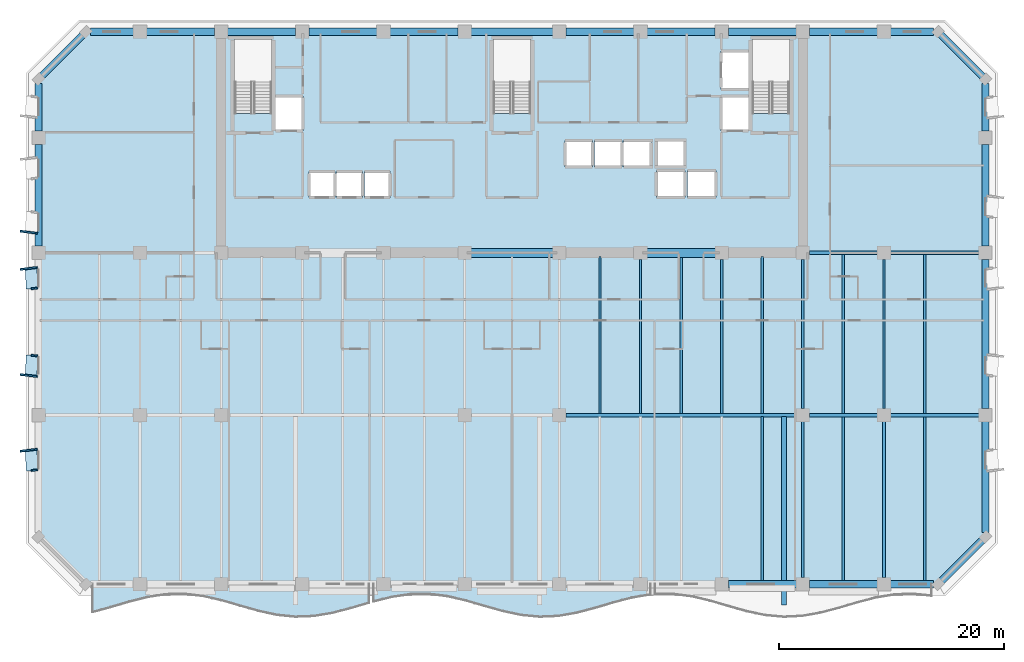
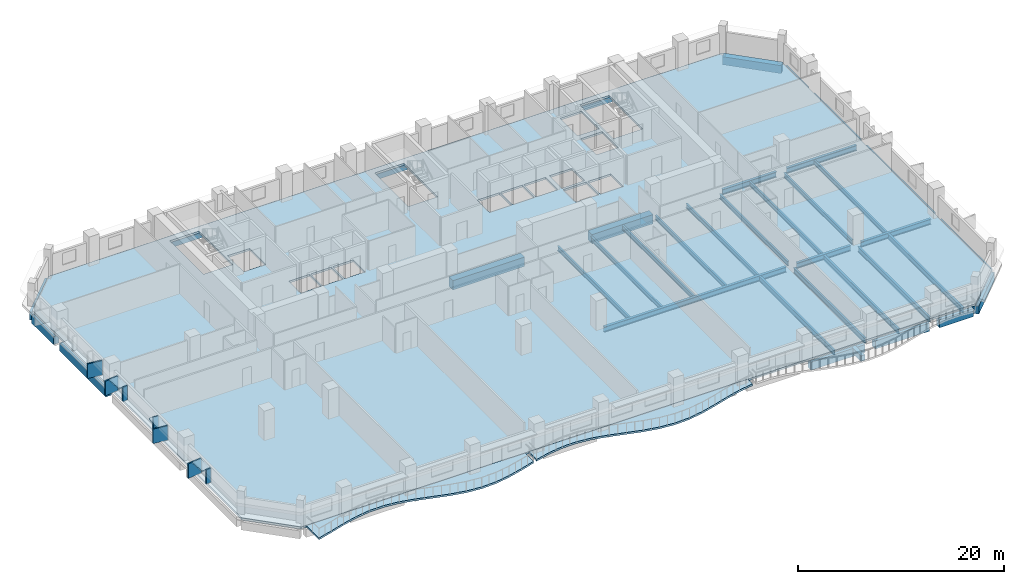
# One storey, part 2 of 15: 45 beams, 10 plates, 3 slabs.
"""IFC4 building model written with IfcOpenShell, lengths in metres."""

from ifc_helpers import new_model, si_unit, direction, frame, origin, origin_2d, place, context, subcontext, project, spatial, polyline, rectangle, i_section, outline, extrude, material, layer, layer_set, material_profile, profile_set, type_object, element, save


model = new_model("IFC4")

# Units and contexts
model_context = context("Model", 3, precision=1e-05, world=origin(), true_north=direction((0.0, 1.0)))
body_context = subcontext(model_context, "Body", "Model", "MODEL_VIEW")
ifc_project = project(units=[si_unit("LENGTHUNIT", "METRE"), si_unit("AREAUNIT", "SQUARE_METRE"), si_unit("VOLUMEUNIT", "CUBIC_METRE"), si_unit("PLANEANGLEUNIT", "RADIAN"), si_unit("MASSUNIT", "GRAM", prefix="KILO")], contexts=[model_context])

# Site, building, storey
site_placement = place(None, origin())
site = spatial("IfcSite", under=ifc_project, at=site_placement, CompositionType="ELEMENT")
building_placement = place(site_placement, origin())
building = spatial("IfcBuilding", under=site, at=building_placement, Name="Kaelvorn Grand Hotel", CompositionType="ELEMENT")
storey_placement = place(building_placement, frame((0.0, 0.0, 115.550048828125)))
storey = spatial("IfcBuildingStorey", under=building, at=storey_placement, Name="L27", CompositionType="ELEMENT", Elevation=115.550048828125)

# Beams
ifc_material_1 = material(Name="Steel S355", Category="steel")
ifc_material_profile_1 = material_profile(ifc_material_1, i_section(OverallWidth=0.300048828125, OverallDepth=0.64990234375, WebThickness=0.01611328125, FlangeThickness=0.031005859375, FilletRadius=0.027099609375, at=origin_2d()), Name="HEB 650")
ifc_profile_set_1 = profile_set([ifc_material_profile_1], Name="Steel S355")
beam_type_1 = type_object("IfcBeamType", Name="BM-G-HEB650-S355", PredefinedType="BEAM", material=ifc_profile_set_1)
beam_1_placement = place(storey_placement, frame((46.784912109375, 15.0, -0.56494140625), z_axis=(1.0, 0.0, 0.0), x_axis=(0.0, 1.0, 0.0)))
element("IfcBeam", 1, at=beam_1_placement, inside=storey, type_object=beam_type_1, Name="L27 Primary Spine Steel Girder G-15 05", PredefinedType="BEAM", context=body_context, shape_type="SweptSolid", body=[
    extrude(i_section(OverallWidth=0.300048828125, OverallDepth=0.64990234375, WebThickness=0.01611328125, FlangeThickness=0.031005859375, FilletRadius=0.027099609375, at=origin_2d()), origin(), (0.0, 0.0, 1.0), 20.43017578125),
])
beam_2_placement = place(storey_placement, frame((68.385009765625, 15.0, -0.56494140625), z_axis=(1.0, 0.0, 0.0), x_axis=(0.0, 1.0, 0.0)))
element("IfcBeam", 2, at=beam_2_placement, inside=storey, type_object=beam_type_1, Name="L27 Primary Spine Steel Girder G-15 06", PredefinedType="BEAM", context=body_context, shape_type="SweptSolid", body=[
    extrude(i_section(OverallWidth=0.300048828125, OverallDepth=0.64990234375, WebThickness=0.01611328125, FlangeThickness=0.031005859375, FilletRadius=0.027099609375, at=origin_2d()), origin(), (0.0, 0.0, 1.0), 6.030029296875),
])
beam_3_placement = place(storey_placement, frame((75.5849609375, 15.0, -0.56494140625), z_axis=(1.0, 0.0, 0.0), x_axis=(0.0, 1.0, 0.0)))
element("IfcBeam", 3, at=beam_3_placement, inside=storey, type_object=beam_type_1, Name="L27 Primary Spine Steel Girder G-15 07", PredefinedType="BEAM", context=body_context, shape_type="SweptSolid", body=[
    extrude(i_section(OverallWidth=0.300048828125, OverallDepth=0.64990234375, WebThickness=0.01611328125, FlangeThickness=0.031005859375, FilletRadius=0.027099609375, at=origin_2d()), origin(), (0.0, 0.0, 1.0), 7.830078125),
])
beam_4_placement = place(storey_placement, frame((68.385009765625, 29.39990234375, -0.56494140625), z_axis=(1.0, 0.0, 0.0), x_axis=(0.0, 1.0, 0.0)))
element("IfcBeam", 4, at=beam_4_placement, inside=storey, type_object=beam_type_1, Name="L27 East Core Wing Steel Girder G-29E 01", PredefinedType="BEAM", context=body_context, shape_type="SweptSolid", body=[
    extrude(i_section(OverallWidth=0.300048828125, OverallDepth=0.64990234375, WebThickness=0.01611328125, FlangeThickness=0.031005859375, FilletRadius=0.027099609375, at=origin_2d()), origin(), (0.0, 0.0, 1.0), 6.030029296875),
])
beam_5_placement = place(storey_placement, frame((75.5849609375, 29.39990234375, -0.56494140625), z_axis=(1.0, 0.0, 0.0), x_axis=(0.0, 1.0, 0.0)))
element("IfcBeam", 5, at=beam_5_placement, inside=storey, type_object=beam_type_1, Name="L27 East Core Wing Steel Girder G-29E 02", PredefinedType="BEAM", context=body_context, shape_type="SweptSolid", body=[
    extrude(i_section(OverallWidth=0.300048828125, OverallDepth=0.64990234375, WebThickness=0.01611328125, FlangeThickness=0.031005859375, FilletRadius=0.027099609375, at=origin_2d()), origin(), (0.0, 0.0, 1.0), 7.830078125),
])
ifc_material_profile_2 = material_profile(ifc_material_1, i_section(OverallWidth=0.209228515625, OverallDepth=0.533203125, WebThickness=0.010009765625, FlangeThickness=0.015625, FilletRadius=0.0126953125, at=origin_2d()), Name="UB 533x210x92")
ifc_profile_set_2 = profile_set([ifc_material_profile_2], Name="Steel S355")
beam_type_2 = type_object("IfcBeamType", Name="BM-J-UB533-S355", PredefinedType="JOIST", material=ifc_profile_set_2)
beam_6_placement = place(storey_placement, frame((49.800048828125, 15.135009765625, -0.506591796875), z_axis=(0.0, 1.0, 0.0), x_axis=(-1.0, 0.0, 0.0)))
element("IfcBeam", 6, at=beam_6_placement, inside=storey, type_object=beam_type_2, Name="L27 Composite Floor Joist JM-14", PredefinedType="JOIST", context=body_context, shape_type="SweptSolid", body=[
    extrude(i_section(OverallWidth=0.209228515625, OverallDepth=0.533203125, WebThickness=0.010009765625, FlangeThickness=0.015625, FilletRadius=0.0126953125, at=origin_2d()), origin(), (0.0, 0.0, 1.0), 13.925048828125),
])
beam_7_placement = place(storey_placement, frame((53.39990234375, 15.135009765625, -0.506591796875), z_axis=(0.0, 1.0, 0.0), x_axis=(-1.0, 0.0, 0.0)))
element("IfcBeam", 7, at=beam_7_placement, inside=storey, type_object=beam_type_2, Name="L27 Composite Floor Joist JM-15", PredefinedType="JOIST", context=body_context, shape_type="SweptSolid", body=[
    extrude(i_section(OverallWidth=0.209228515625, OverallDepth=0.533203125, WebThickness=0.010009765625, FlangeThickness=0.015625, FilletRadius=0.0126953125, at=origin_2d()), origin(), (0.0, 0.0, 1.0), 13.679931640625),
])
beam_8_placement = place(storey_placement, frame((57.0, 15.135009765625, -0.506591796875), z_axis=(0.0, 1.0, 0.0), x_axis=(-1.0, 0.0, 0.0)))
element("IfcBeam", 8, at=beam_8_placement, inside=storey, type_object=beam_type_2, Name="L27 Composite Floor Joist JM-16", PredefinedType="JOIST", context=body_context, shape_type="SweptSolid", body=[
    extrude(i_section(OverallWidth=0.209228515625, OverallDepth=0.533203125, WebThickness=0.010009765625, FlangeThickness=0.015625, FilletRadius=0.0126953125, at=origin_2d()), origin(), (0.0, 0.0, 1.0), 13.925048828125),
])
beam_9_placement = place(storey_placement, frame((60.60009765625, 15.135009765625, -0.506591796875), z_axis=(0.0, 1.0, 0.0), x_axis=(-1.0, 0.0, 0.0)))
element("IfcBeam", 9, at=beam_9_placement, inside=storey, type_object=beam_type_2, Name="L27 Composite Floor Joist JM-17", PredefinedType="JOIST", context=body_context, shape_type="SweptSolid", body=[
    extrude(i_section(OverallWidth=0.209228515625, OverallDepth=0.533203125, WebThickness=0.010009765625, FlangeThickness=0.015625, FilletRadius=0.0126953125, at=origin_2d()), origin(), (0.0, 0.0, 1.0), 13.679931640625),
])
beam_10_placement = place(storey_placement, frame((64.199951171875, 15.135009765625, -0.506591796875), z_axis=(0.0, 1.0, 0.0), x_axis=(-1.0, 0.0, 0.0)))
element("IfcBeam", 10, at=beam_10_placement, inside=storey, type_object=beam_type_2, Name="L27 Composite Floor Joist JM-18", PredefinedType="JOIST", context=body_context, shape_type="SweptSolid", body=[
    extrude(i_section(OverallWidth=0.209228515625, OverallDepth=0.533203125, WebThickness=0.010009765625, FlangeThickness=0.015625, FilletRadius=0.0126953125, at=origin_2d()), origin(), (0.0, 0.0, 1.0), 13.925048828125),
])
beam_11_placement = place(storey_placement, frame((67.800048828125, 15.5849609375, -0.506591796875), z_axis=(0.0, 1.0, 0.0), x_axis=(-1.0, 0.0, 0.0)))
element("IfcBeam", 11, at=beam_11_placement, inside=storey, type_object=beam_type_2, Name="L27 Composite Floor Joist JM-19", PredefinedType="JOIST", context=body_context, shape_type="SweptSolid", body=[
    extrude(i_section(OverallWidth=0.209228515625, OverallDepth=0.533203125, WebThickness=0.010009765625, FlangeThickness=0.015625, FilletRadius=0.0126953125, at=origin_2d()), origin(), (0.0, 0.0, 1.0), 13.22998046875),
])
beam_12_placement = place(storey_placement, frame((71.39990234375, 15.135009765625, -0.506591796875), z_axis=(0.0, 1.0, 0.0), x_axis=(-1.0, 0.0, 0.0)))
element("IfcBeam", 12, at=beam_12_placement, inside=storey, type_object=beam_type_2, Name="L27 Composite Floor Joist JM-20", PredefinedType="JOIST", context=body_context, shape_type="SweptSolid", body=[
    extrude(i_section(OverallWidth=0.209228515625, OverallDepth=0.533203125, WebThickness=0.010009765625, FlangeThickness=0.015625, FilletRadius=0.0126953125, at=origin_2d()), origin(), (0.0, 0.0, 1.0), 14.1298828125),
])
beam_13_placement = place(storey_placement, frame((75.0, 15.5849609375, -0.506591796875), z_axis=(0.0, 1.0, 0.0), x_axis=(-1.0, 0.0, 0.0)))
element("IfcBeam", 13, at=beam_13_placement, inside=storey, type_object=beam_type_2, Name="L27 Composite Floor Joist JM-21", PredefinedType="JOIST", context=body_context, shape_type="SweptSolid", body=[
    extrude(i_section(OverallWidth=0.209228515625, OverallDepth=0.533203125, WebThickness=0.010009765625, FlangeThickness=0.015625, FilletRadius=0.0126953125, at=origin_2d()), origin(), (0.0, 0.0, 1.0), 13.22998046875),
])
beam_14_placement = place(storey_placement, frame((78.60009765625, 15.135009765625, -0.506591796875), z_axis=(0.0, 1.0, 0.0), x_axis=(-1.0, 0.0, 0.0)))
element("IfcBeam", 14, at=beam_14_placement, inside=storey, type_object=beam_type_2, Name="L27 Composite Floor Joist JM-22", PredefinedType="JOIST", context=body_context, shape_type="SweptSolid", body=[
    extrude(i_section(OverallWidth=0.209228515625, OverallDepth=0.533203125, WebThickness=0.010009765625, FlangeThickness=0.015625, FilletRadius=0.0126953125, at=origin_2d()), origin(), (0.0, 0.0, 1.0), 14.1298828125),
])
ifc_material_profile_3 = material_profile(ifc_material_1, i_section(OverallWidth=0.22900390625, OverallDepth=0.6123046875, WebThickness=0.011962890625, FlangeThickness=0.01953125, FilletRadius=0.0126953125, at=origin_2d()), Name="UB 610x229x125")
ifc_profile_set_3 = profile_set([ifc_material_profile_3], Name="Steel S355")
beam_type_3 = type_object("IfcBeamType", Name="BM-J-UB610-S355", PredefinedType="JOIST", material=ifc_profile_set_3)
beam_15_placement = place(storey_placement, frame((64.199951171875, 0.31005859375, -0.546142578125), z_axis=(0.0, 1.0, 0.0), x_axis=(-1.0, 0.0, 0.0)))
element("IfcBeam", 15, at=beam_15_placement, inside=storey, type_object=beam_type_3, Name="L27 Composite Floor Joist JS-18", PredefinedType="JOIST", context=body_context, shape_type="SweptSolid", body=[
    extrude(i_section(OverallWidth=0.22900390625, OverallDepth=0.6123046875, WebThickness=0.011962890625, FlangeThickness=0.01953125, FilletRadius=0.0126953125, at=origin_2d()), origin(), (0.0, 0.0, 1.0), 14.554931640625),
])
beam_16_placement = place(storey_placement, frame((67.800048828125, 0.5849609375, -0.546142578125), z_axis=(0.0, 1.0, 0.0), x_axis=(-1.0, 0.0, 0.0)))
element("IfcBeam", 16, at=beam_16_placement, inside=storey, type_object=beam_type_3, Name="L27 Composite Floor Joist JS-19", PredefinedType="JOIST", context=body_context, shape_type="SweptSolid", body=[
    extrude(i_section(OverallWidth=0.22900390625, OverallDepth=0.6123046875, WebThickness=0.011962890625, FlangeThickness=0.01953125, FilletRadius=0.0126953125, at=origin_2d()), origin(), (0.0, 0.0, 1.0), 13.830078125),
])
beam_17_placement = place(storey_placement, frame((71.39990234375, 0.31005859375, -0.546142578125), z_axis=(0.0, 1.0, 0.0), x_axis=(-1.0, 0.0, 0.0)))
element("IfcBeam", 17, at=beam_17_placement, inside=storey, type_object=beam_type_3, Name="L27 Composite Floor Joist JS-20", PredefinedType="JOIST", context=body_context, shape_type="SweptSolid", body=[
    extrude(i_section(OverallWidth=0.22900390625, OverallDepth=0.6123046875, WebThickness=0.011962890625, FlangeThickness=0.01953125, FilletRadius=0.0126953125, at=origin_2d()), origin(), (0.0, 0.0, 1.0), 14.554931640625),
])
beam_18_placement = place(storey_placement, frame((75.0, 0.5849609375, -0.546142578125), z_axis=(0.0, 1.0, 0.0), x_axis=(-1.0, 0.0, 0.0)))
element("IfcBeam", 18, at=beam_18_placement, inside=storey, type_object=beam_type_3, Name="L27 Composite Floor Joist JS-21", PredefinedType="JOIST", context=body_context, shape_type="SweptSolid", body=[
    extrude(i_section(OverallWidth=0.22900390625, OverallDepth=0.6123046875, WebThickness=0.011962890625, FlangeThickness=0.01953125, FilletRadius=0.0126953125, at=origin_2d()), origin(), (0.0, 0.0, 1.0), 13.830078125),
])
beam_19_placement = place(storey_placement, frame((78.60009765625, 0.31005859375, -0.546142578125), z_axis=(0.0, 1.0, 0.0), x_axis=(-1.0, 0.0, 0.0)))
element("IfcBeam", 19, at=beam_19_placement, inside=storey, type_object=beam_type_3, Name="L27 Composite Floor Joist JS-22", PredefinedType="JOIST", context=body_context, shape_type="SweptSolid", body=[
    extrude(i_section(OverallWidth=0.22900390625, OverallDepth=0.6123046875, WebThickness=0.011962890625, FlangeThickness=0.01953125, FilletRadius=0.0126953125, at=origin_2d()), origin(), (0.0, 0.0, 1.0), 14.554931640625),
])
ifc_material_2 = material(Name="Concrete C60/75", Category="concrete")
ifc_material_profile_4 = material_profile(ifc_material_2, rectangle(XDim=0.800048828125, YDim=1.10009765625, at=origin_2d()), Name="RC LINTEL 800x1100")
ifc_profile_set_4 = profile_set([ifc_material_profile_4], Name="Concrete C60/75")
beam_type_4 = type_object("IfcBeamType", Name="BM-LIN-800x1100-C60", PredefinedType="LINTEL", material=ifc_profile_set_4)
beam_20_placement = place(storey_placement, frame((37.97998046875, 29.39990234375, -0.7900390625), z_axis=(1.0, 0.0, 0.0), x_axis=(0.0, 1.0, 0.0)))
element("IfcBeam", 20, at=beam_20_placement, inside=storey, type_object=beam_type_4, Name="L27 Rear-Core Coupling Lintel Beam CB1-02", PredefinedType="LINTEL", context=body_context, shape_type="SweptSolid", body=[
    extrude(rectangle(XDim=0.800048828125, YDim=1.10009765625, at=origin_2d()), origin(), (0.0, 0.0, 1.0), 8.0400390625),
])
beam_21_placement = place(storey_placement, frame((53.580078125, 29.39990234375, -0.7900390625), z_axis=(1.0, 0.0, 0.0), x_axis=(0.0, 1.0, 0.0)))
element("IfcBeam", 21, at=beam_21_placement, inside=storey, type_object=beam_type_4, Name="L27 Rear-Core Coupling Lintel Beam CB1-03", PredefinedType="LINTEL", context=body_context, shape_type="SweptSolid", body=[
    extrude(rectangle(XDim=0.800048828125, YDim=1.10009765625, at=origin_2d()), origin(), (0.0, 0.0, 1.0), 6.83984375),
])
ifc_material_3 = material(Name="Concrete C40/50", Category="concrete")
ifc_material_profile_5 = material_profile(ifc_material_3, rectangle(XDim=0.449951171875, YDim=0.64990234375, at=origin_2d()), Name="RC RIB 450x650")
ifc_profile_set_5 = profile_set([ifc_material_profile_5], Name="Concrete C40/50")
beam_type_5 = type_object("IfcBeamType", Name="BM-RIB-450x650-C40", PredefinedType="SPANDREL", material=ifc_profile_set_5)
beam_22_placement = place(storey_placement, frame((66.115478515625, -1.85009765625, -0.545166015625), z_axis=(0.0, 1.0, 0.0), x_axis=(-1.0, 0.0, 0.0)))
element("IfcBeam", 22, at=beam_22_placement, inside=storey, type_object=beam_type_5, Name="L27 Cantilevered Balcony Back-Span Rib RB1-3", PredefinedType="SPANDREL", context=body_context, shape_type="SweptSolid", body=[
    extrude(rectangle(XDim=0.449951171875, YDim=0.64990234375, at=origin_2d()), origin(), (0.0, 0.0, 1.0), 16.715087890625),
])
ifc_material_profile_6 = material_profile(ifc_material_2, rectangle(XDim=0.64990234375, YDim=0.949951171875, at=origin_2d()), Name="RC SPANDREL 650x950")
ifc_profile_set_6 = profile_set([ifc_material_profile_6], Name="Concrete C60/75")
beam_type_6 = type_object("IfcBeamType", Name="BM-SP-650x950-C60", PredefinedType="SPANDREL", material=ifc_profile_set_6)
for number, where, z_axis, x_axis, name in (
    (23, (61.18505859375, 0.0, -0.715087890625), (1.0, 0.0, 0.0), (0.0, 1.0, 0.0), "L27 South Perimeter Spandrel 09"),
    (24, (68.385009765625, 0.0, -0.715087890625), (1.0, 0.0, 0.0), (0.0, 1.0, 0.0), "L27 South Perimeter Spandrel 10"),
):
    element("IfcBeam", number, at=place(storey_placement, frame(where, z_axis=z_axis, x_axis=x_axis)), inside=storey, type_object=beam_type_6, Name=name, PredefinedType="SPANDREL", context=body_context, shape_type="SweptSolid", body=[
        extrude(rectangle(XDim=0.64990234375, YDim=0.949951171875, at=origin_2d()), origin(), (0.0, 0.0, 1.0), 6.030029296875),
    ])
for number, where, z_axis, x_axis, name in (
    (25, (75.5849609375, 0.0, -0.715087890625), (1.0, 0.0, 0.0), (0.0, 1.0, 0.0), "L27 South Perimeter Spandrel 11"),
    (26, (4.60498046875, 49.0, -0.715087890625), (1.0, 0.0, 0.0), (0.0, 1.0, 0.0), "L27 North Perimeter Spandrel 01"),
):
    element("IfcBeam", number, at=place(storey_placement, frame(where, z_axis=z_axis, x_axis=x_axis)), inside=storey, type_object=beam_type_6, Name=name, PredefinedType="SPANDREL", context=body_context, shape_type="SweptSolid", body=[
        extrude(rectangle(XDim=0.64990234375, YDim=0.949951171875, at=origin_2d()), origin(), (0.0, 0.0, 1.0), 3.81005859375),
    ])
for number, where, z_axis, x_axis, name in (
    (27, (9.5849609375, 49.0, -0.715087890625), (1.0, 0.0, 0.0), (0.0, 1.0, 0.0), "L27 North Perimeter Spandrel 02"),
    (28, (16.784912109375, 49.0, -0.715087890625), (1.0, 0.0, 0.0), (0.0, 1.0, 0.0), "L27 North Perimeter Spandrel 03"),
):
    element("IfcBeam", number, at=place(storey_placement, frame(where, z_axis=z_axis, x_axis=x_axis)), inside=storey, type_object=beam_type_6, Name=name, PredefinedType="SPANDREL", context=body_context, shape_type="SweptSolid", body=[
        extrude(rectangle(XDim=0.64990234375, YDim=0.949951171875, at=origin_2d()), origin(), (0.0, 0.0, 1.0), 6.030029296875),
    ])
beam_23_placement = place(storey_placement, frame((23.985107421875, 49.0, -0.715087890625), z_axis=(1.0, 0.0, 0.0), x_axis=(0.0, 1.0, 0.0)))
element("IfcBeam", 29, at=beam_23_placement, inside=storey, type_object=beam_type_6, Name="L27 North Perimeter Spandrel 04", PredefinedType="SPANDREL", context=body_context, shape_type="SweptSolid", body=[
    extrude(rectangle(XDim=0.64990234375, YDim=0.949951171875, at=origin_2d()), origin(), (0.0, 0.0, 1.0), 6.02978515625),
])
beam_24_placement = place(storey_placement, frame((31.18505859375, 49.0, -0.715087890625), z_axis=(1.0, 0.0, 0.0), x_axis=(0.0, 1.0, 0.0)))
element("IfcBeam", 30, at=beam_24_placement, inside=storey, type_object=beam_type_6, Name="L27 North Perimeter Spandrel 05", PredefinedType="SPANDREL", context=body_context, shape_type="SweptSolid", body=[
    extrude(rectangle(XDim=0.64990234375, YDim=0.949951171875, at=origin_2d()), origin(), (0.0, 0.0, 1.0), 6.030029296875),
])
beam_25_placement = place(storey_placement, frame((38.385009765625, 49.0, -0.715087890625), z_axis=(1.0, 0.0, 0.0), x_axis=(0.0, 1.0, 0.0)))
element("IfcBeam", 31, at=beam_25_placement, inside=storey, type_object=beam_type_6, Name="L27 North Perimeter Spandrel 06", PredefinedType="SPANDREL", context=body_context, shape_type="SweptSolid", body=[
    extrude(rectangle(XDim=0.64990234375, YDim=0.949951171875, at=origin_2d()), origin(), (0.0, 0.0, 1.0), 7.22998046875),
])
beam_26_placement = place(storey_placement, frame((46.784912109375, 49.0, -0.715087890625), z_axis=(1.0, 0.0, 0.0), x_axis=(0.0, 1.0, 0.0)))
element("IfcBeam", 32, at=beam_26_placement, inside=storey, type_object=beam_type_6, Name="L27 North Perimeter Spandrel 07", PredefinedType="SPANDREL", context=body_context, shape_type="SweptSolid", body=[
    extrude(rectangle(XDim=0.64990234375, YDim=0.949951171875, at=origin_2d()), origin(), (0.0, 0.0, 1.0), 6.030029296875),
])
beam_27_placement = place(storey_placement, frame((53.985107421875, 49.0, -0.715087890625), z_axis=(1.0, 0.0, 0.0), x_axis=(0.0, 1.0, 0.0)))
element("IfcBeam", 33, at=beam_27_placement, inside=storey, type_object=beam_type_6, Name="L27 North Perimeter Spandrel 08", PredefinedType="SPANDREL", context=body_context, shape_type="SweptSolid", body=[
    extrude(rectangle(XDim=0.64990234375, YDim=0.949951171875, at=origin_2d()), origin(), (0.0, 0.0, 1.0), 6.02978515625),
])
for number, where, z_axis, x_axis, name in (
    (34, (61.18505859375, 49.0, -0.715087890625), (1.0, 0.0, 0.0), (0.0, 1.0, 0.0), "L27 North Perimeter Spandrel 09"),
    (35, (68.385009765625, 49.0, -0.715087890625), (1.0, 0.0, 0.0), (0.0, 1.0, 0.0), "L27 North Perimeter Spandrel 10"),
):
    element("IfcBeam", number, at=place(storey_placement, frame(where, z_axis=z_axis, x_axis=x_axis)), inside=storey, type_object=beam_type_6, Name=name, PredefinedType="SPANDREL", context=body_context, shape_type="SweptSolid", body=[
        extrude(rectangle(XDim=0.64990234375, YDim=0.949951171875, at=origin_2d()), origin(), (0.0, 0.0, 1.0), 6.030029296875),
    ])
beam_28_placement = place(storey_placement, frame((75.5849609375, 49.0, -0.715087890625), z_axis=(1.0, 0.0, 0.0), x_axis=(0.0, 1.0, 0.0)))
element("IfcBeam", 36, at=beam_28_placement, inside=storey, type_object=beam_type_6, Name="L27 North Perimeter Spandrel 11", PredefinedType="SPANDREL", context=body_context, shape_type="SweptSolid", body=[
    extrude(rectangle(XDim=0.64990234375, YDim=0.949951171875, at=origin_2d()), origin(), (0.0, 0.0, 1.0), 3.81005859375),
])
beam_29_placement = place(storey_placement, frame((0.0, 29.985107421875, -0.715087890625), z_axis=(0.0, 1.0, 0.0), x_axis=(-1.0, 0.0, 0.0)))
element("IfcBeam", 37, at=beam_29_placement, inside=storey, type_object=beam_type_6, Name="L27 West Perimeter Spandrel 03", PredefinedType="SPANDREL", context=body_context, shape_type="SweptSolid", body=[
    extrude(rectangle(XDim=0.64990234375, YDim=0.949951171875, at=origin_2d()), origin(), (0.0, 0.0, 1.0), 9.02978515625),
])
beam_30_placement = place(storey_placement, frame((0.0, 40.18505859375, -0.715087890625), z_axis=(0.0, 1.0, 0.0), x_axis=(-1.0, 0.0, 0.0)))
element("IfcBeam", 38, at=beam_30_placement, inside=storey, type_object=beam_type_6, Name="L27 West Perimeter Spandrel 04", PredefinedType="SPANDREL", context=body_context, shape_type="SweptSolid", body=[
    extrude(rectangle(XDim=0.64990234375, YDim=0.949951171875, at=origin_2d()), origin(), (0.0, 0.0, 1.0), 4.2099609375),
])
beam_31_placement = place(storey_placement, frame((84.0, 4.60498046875, -0.715087890625), z_axis=(0.0, 1.0, 0.0), x_axis=(-1.0, 0.0, 0.0)))
element("IfcBeam", 39, at=beam_31_placement, inside=storey, type_object=beam_type_6, Name="L27 East Perimeter Spandrel 01", PredefinedType="SPANDREL", context=body_context, shape_type="SweptSolid", body=[
    extrude(rectangle(XDim=0.64990234375, YDim=0.949951171875, at=origin_2d()), origin(), (0.0, 0.0, 1.0), 9.81005859375),
])
beam_32_placement = place(storey_placement, frame((84.0, 15.5849609375, -0.715087890625), z_axis=(0.0, 1.0, 0.0), x_axis=(-1.0, 0.0, 0.0)))
element("IfcBeam", 40, at=beam_32_placement, inside=storey, type_object=beam_type_6, Name="L27 East Perimeter Spandrel 02", PredefinedType="SPANDREL", context=body_context, shape_type="SweptSolid", body=[
    extrude(rectangle(XDim=0.64990234375, YDim=0.949951171875, at=origin_2d()), origin(), (0.0, 0.0, 1.0), 13.22998046875),
])
beam_33_placement = place(storey_placement, frame((84.0, 29.985107421875, -0.715087890625), z_axis=(0.0, 1.0, 0.0), x_axis=(-1.0, 0.0, 0.0)))
element("IfcBeam", 41, at=beam_33_placement, inside=storey, type_object=beam_type_6, Name="L27 East Perimeter Spandrel 03", PredefinedType="SPANDREL", context=body_context, shape_type="SweptSolid", body=[
    extrude(rectangle(XDim=0.64990234375, YDim=0.949951171875, at=origin_2d()), origin(), (0.0, 0.0, 1.0), 9.02978515625),
])
beam_34_placement = place(storey_placement, frame((84.0, 40.18505859375, -0.715087890625), z_axis=(0.0, 1.0, 0.0), x_axis=(-1.0, 0.0, 0.0)))
element("IfcBeam", 42, at=beam_34_placement, inside=storey, type_object=beam_type_6, Name="L27 East Perimeter Spandrel 04", PredefinedType="SPANDREL", context=body_context, shape_type="SweptSolid", body=[
    extrude(rectangle(XDim=0.64990234375, YDim=0.949951171875, at=origin_2d()), origin(), (0.0, 0.0, 1.0), 4.2099609375),
])
for number, where, z_axis, x_axis, name in (
    (43, (79.800048828125, 0.0, -0.715087890625), (0.707106781187, 0.707106781187, 0.0), (-0.707106781187, 0.707106781187, 0.0), "L27 Chamfer Spandrel Beam 1"),
    (44, (84.0, 44.800048828125, -0.715087890625), (-0.707106781187, 0.707106781187, 0.0), (-0.707106781187, -0.707106781187, 0.0), "L27 Chamfer Spandrel Beam 2"),
    (45, (4.199951171875, 49.0, -0.715087890625), (-0.707106781187, -0.707106781187, 0.0), (0.707106781187, -0.707106781187, 0.0), "L27 Chamfer Spandrel Beam 3"),
):
    element("IfcBeam", number, at=place(storey_placement, frame(where, z_axis=z_axis, x_axis=x_axis)), inside=storey, type_object=beam_type_6, Name=name, PredefinedType="SPANDREL", context=body_context, shape_type="SweptSolid", body=[
        extrude(rectangle(XDim=0.64990234375, YDim=0.949951171875, at=origin_2d()), origin(), (0.0, 0.0, 1.0), 5.939697265625),
    ])

# Plates
ifc_material_4 = material(Name="Precast concrete C45/55", Category="concrete")
ifc_layer_1 = layer(ifc_material_4, 0.159912109375)
ifc_layer_set_1 = layer_set([ifc_layer_1], Name="Precast concrete C45/55")
plate_type_1 = type_object("IfcPlateType", Name="PL-FRAME-DEEP-1550", PredefinedType="USERDEFINED", material=ifc_layer_set_1)
for number, where, z_axis, x_axis, name in (
    (46, (-0.864990234375, 11.889892578125, 0.68994140625), (0.0, 0.0, 1.0), (-0.121869343405, 0.992546151641, 0.0), "L27 Tilted Precast Window Frame Fin R-W01"),
    (47, (-0.864990234375, 18.510009765625, 0.68994140625), (0.0, 0.0, 1.0), (0.121869343405, 0.992546151641, 0.0), "L27 Tilted Precast Window Frame Fin L-W02"),
    (48, (-0.864990234375, 28.014892578125, 0.68994140625), (0.0, 0.0, 1.0), (-0.121869343405, 0.992546151641, 0.0), "L27 Tilted Precast Window Frame Fin R-W03"),
    (49, (-0.864990234375, 31.22509765625, 0.68994140625), (0.0, 0.0, 1.0), (0.121869343405, 0.992546151641, 0.0), "L27 Tilted Precast Window Frame Fin L-W04"),
):
    element("IfcPlate", number, at=place(storey_placement, frame(where, z_axis=z_axis, x_axis=x_axis)), inside=storey, type_object=plate_type_1, Name=name, ObjectType="FLANGE_PLATE", PredefinedType="USERDEFINED", context=body_context, shape_type="SweptSolid", body=[
        extrude(rectangle(XDim=0.159912109375, YDim=1.550048828125, at=origin_2d()), origin(), (0.0, 0.0, 1.0), 1.719970703125),
    ])
ifc_layer_2 = layer(ifc_material_4, 0.159912109375)
ifc_layer_set_2 = layer_set([ifc_layer_2], Name="Precast concrete C45/55")
plate_type_2 = type_object("IfcPlateType", Name="PL-FRAME-HEAD-1050", PredefinedType="USERDEFINED", material=ifc_layer_set_2)
for number, where, z_axis, x_axis, name in (
    (50, (-0.614990234375, 11.0, 2.25), (0.0, 0.0, 1.0), (-0.054950179912, 0.998489097451, 0.0), "L27 Precast Window Frame Head Hood H-W01"),
    (51, (-0.614990234375, 19.39990234375, 2.25), (0.0, 0.0, 1.0), (0.054950179912, 0.998489097451, 0.0), "L27 Precast Window Frame Head Hood H-W02"),
    (52, (-0.614990234375, 27.125, 2.25), (0.0, 0.0, 1.0), (-0.054950179912, 0.998489097451, 0.0), "L27 Precast Window Frame Head Hood H-W03"),
):
    element("IfcPlate", number, at=place(storey_placement, frame(where, z_axis=z_axis, x_axis=x_axis)), inside=storey, type_object=plate_type_2, Name=name, ObjectType="FLANGE_PLATE", PredefinedType="USERDEFINED", context=body_context, shape_type="SweptSolid", body=[
        extrude(rectangle(XDim=1.860107421875, YDim=1.050048828125, at=origin_2d()), origin(), (0.0, 0.0, 1.0), 0.159912109375),
    ])
ifc_layer_3 = layer(ifc_material_4, 0.159912109375)
ifc_layer_set_3 = layer_set([ifc_layer_3], Name="Precast concrete C45/55")
plate_type_3 = type_object("IfcPlateType", Name="PL-FRAME-SHAL-550", PredefinedType="USERDEFINED", material=ifc_layer_set_3)
for number, where, z_axis, x_axis, name in (
    (53, (-0.364990234375, 10.110107421875, 0.68994140625), (0.0, 0.0, 1.0), (-0.121869343405, 0.992546151641, 0.0), "L27 Tilted Precast Window Frame Fin L-W01"),
    (54, (-0.364990234375, 20.2900390625, 0.68994140625), (0.0, 0.0, 1.0), (0.121869343405, 0.992546151641, 0.0), "L27 Tilted Precast Window Frame Fin R-W02"),
    (55, (-0.364990234375, 26.235107421875, 0.68994140625), (0.0, 0.0, 1.0), (-0.121869343405, 0.992546151641, 0.0), "L27 Tilted Precast Window Frame Fin L-W03"),
):
    element("IfcPlate", number, at=place(storey_placement, frame(where, z_axis=z_axis, x_axis=x_axis)), inside=storey, type_object=plate_type_3, Name=name, ObjectType="FLANGE_PLATE", PredefinedType="USERDEFINED", context=body_context, shape_type="SweptSolid", body=[
        extrude(rectangle(XDim=0.159912109375, YDim=0.550048828125, at=origin_2d()), origin(), (0.0, 0.0, 1.0), 1.719970703125),
    ])

# Slabs
ifc_layer_4 = layer(ifc_material_3, 0.219970703125)
ifc_layer_set_4 = layer_set([ifc_layer_4], Name="Concrete C40/50")
slab_type_1 = type_object("IfcSlabType", Name="SLB-BALC-220-C40", PredefinedType="FLOOR", material=ifc_layer_set_4)
slab_1_placement = place(storey_placement, frame((0.0, 0.0, -0.219970703125)))
element("IfcSlab", 56, at=slab_1_placement, inside=storey, type_object=slab_type_1, Name="L27 Scalloped Wave Balcony Slab 1", PredefinedType="FLOOR", context=body_context, shape_type="SweptSolid", body=[
    extrude(outline(polyline([(4.800048828125, -2.4775390625), (6.435546875, -2.03076171875), (8.071044921875, -1.549560546875), (9.706787109375, -1.140380859375), (11.34228515625, -0.89453125), (12.977783203125, -0.866455078125), (14.61328125, -1.0625), (16.248779296875, -1.438720703125), (17.884521484375, -1.912109375), (19.52001953125, -2.377197265625), (21.155517578125, -2.730712890625), (22.791015625, -2.89404296875), (24.4267578125, -2.831298828125), (26.062255859375, -2.555908203125), (27.69775390625, -2.12939453125), (29.333251953125, -1.646240234375), (29.333251953125, 0.0), (4.800048828125, 0.0), (4.800048828125, -2.4775390625)])), origin(), (0.0, 0.0, 1.0), 0.219970703125),
])
slab_2_placement = place(storey_placement, frame((0.0, 0.0, -0.219970703125)))
element("IfcSlab", 57, at=slab_2_placement, inside=storey, type_object=slab_type_1, Name="L27 Scalloped Wave Balcony Slab 2", PredefinedType="FLOOR", context=body_context, shape_type="SweptSolid", body=[
    extrude(outline(polyline([(29.7333984375, -1.531982421875), (31.368896484375, -1.127685546875), (33.00439453125, -0.889404296875), (34.639892578125, -0.869873046875), (36.275634765625, -1.073974609375), (37.9111328125, -1.45556640625), (39.546630859375, -1.9306640625), (41.18212890625, -2.393310546875), (42.81787109375, -2.74072265625), (44.453369140625, -2.89599609375), (46.0888671875, -2.824462890625), (47.724365234375, -2.5419921875), (49.360107421875, -2.111328125), (50.99560546875, -1.62841796875), (52.631103515625, -1.199951171875), (54.2666015625, -0.921630859375), (54.2666015625, 0.0), (29.7333984375, 0.0), (29.7333984375, -1.531982421875)])), origin(), (0.0, 0.0, 1.0), 0.219970703125),
])
ifc_layer_5 = layer(ifc_material_3, 0.239990234375)
ifc_layer_set_5 = layer_set([ifc_layer_5], Name="Concrete C40/50")
slab_type_2 = type_object("IfcSlabType", Name="SLB-FLR-240-C40", PredefinedType="FLOOR", material=ifc_layer_set_5)
slab_3_placement = place(storey_placement, frame((0.0, 0.0, -0.239990234375)))
element("IfcSlab", 58, at=slab_3_placement, inside=storey, type_object=slab_type_2, Name="L27 Indoor Suspended Floor Slab", PredefinedType="FLOOR", context=body_context, shape_type="SweptSolid", body=[
    extrude(outline(polyline([(4.199951171875, 0.0), (79.800048828125, 0.0), (84.0, 4.199951171875), (84.0, 44.800048828125), (79.800048828125, 49.0), (4.199951171875, 49.0), (0.0, 44.800048828125), (0.0, 4.199951171875), (4.199951171875, 0.0)]), holes=[polyline([(17.39990234375, 41.760009765625), (17.39990234375, 48.300048828125), (20.679931640625, 48.300048828125), (20.679931640625, 41.760009765625), (17.39990234375, 41.760009765625)]), polyline([(40.360107421875, 41.760009765625), (40.360107421875, 48.300048828125), (43.639892578125, 48.300048828125), (43.639892578125, 41.760009765625), (40.360107421875, 41.760009765625)]), polyline([(63.320068359375, 41.760009765625), (63.320068359375, 48.300048828125), (66.60009765625, 48.300048828125), (66.60009765625, 41.760009765625), (63.320068359375, 41.760009765625)]), polyline([(24.0, 34.300048828125), (24.0, 36.60009765625), (26.300048828125, 36.60009765625), (26.300048828125, 34.300048828125), (24.0, 34.300048828125)]), polyline([(26.449951171875, 34.300048828125), (26.449951171875, 36.60009765625), (28.75, 36.60009765625), (28.75, 34.300048828125), (26.449951171875, 34.300048828125)]), polyline([(28.89990234375, 34.300048828125), (28.89990234375, 36.60009765625), (31.199951171875, 36.60009765625), (31.199951171875, 34.300048828125), (28.89990234375, 34.300048828125)]), polyline([(46.699951171875, 37.0), (46.699951171875, 39.35009765625), (49.14990234375, 39.35009765625), (49.14990234375, 37.0), (46.699951171875, 37.0)]), polyline([(49.300048828125, 37.0), (49.300048828125, 39.35009765625), (51.75, 39.35009765625), (51.75, 37.0), (49.300048828125, 37.0)]), polyline([(51.89990234375, 37.0), (51.89990234375, 39.35009765625), (54.35009765625, 39.35009765625), (54.35009765625, 37.0), (51.89990234375, 37.0)]), polyline([(54.800048828125, 34.300048828125), (54.800048828125, 36.699951171875), (57.35009765625, 36.699951171875), (57.35009765625, 34.300048828125), (54.800048828125, 34.300048828125)]), polyline([(57.550048828125, 34.300048828125), (57.550048828125, 36.699951171875), (60.10009765625, 36.699951171875), (60.10009765625, 34.300048828125), (57.550048828125, 34.300048828125)]), polyline([(54.800048828125, 37.0), (54.800048828125, 39.39990234375), (57.35009765625, 39.39990234375), (57.35009765625, 37.0), (54.800048828125, 37.0)]), polyline([(21.0, 40.199951171875), (21.0, 43.300048828125), (23.449951171875, 43.300048828125), (23.449951171875, 40.199951171875), (21.0, 40.199951171875)]), polyline([(60.550048828125, 40.199951171875), (60.550048828125, 43.300048828125), (63.0, 43.300048828125), (63.0, 40.199951171875), (60.550048828125, 40.199951171875)]), polyline([(60.550048828125, 43.89990234375), (60.550048828125, 47.300048828125), (63.0, 47.300048828125), (63.0, 43.89990234375), (60.550048828125, 43.89990234375)])]), origin(), (0.0, 0.0, 1.0), 0.239990234375),
])

save(model, "model.ifc")
